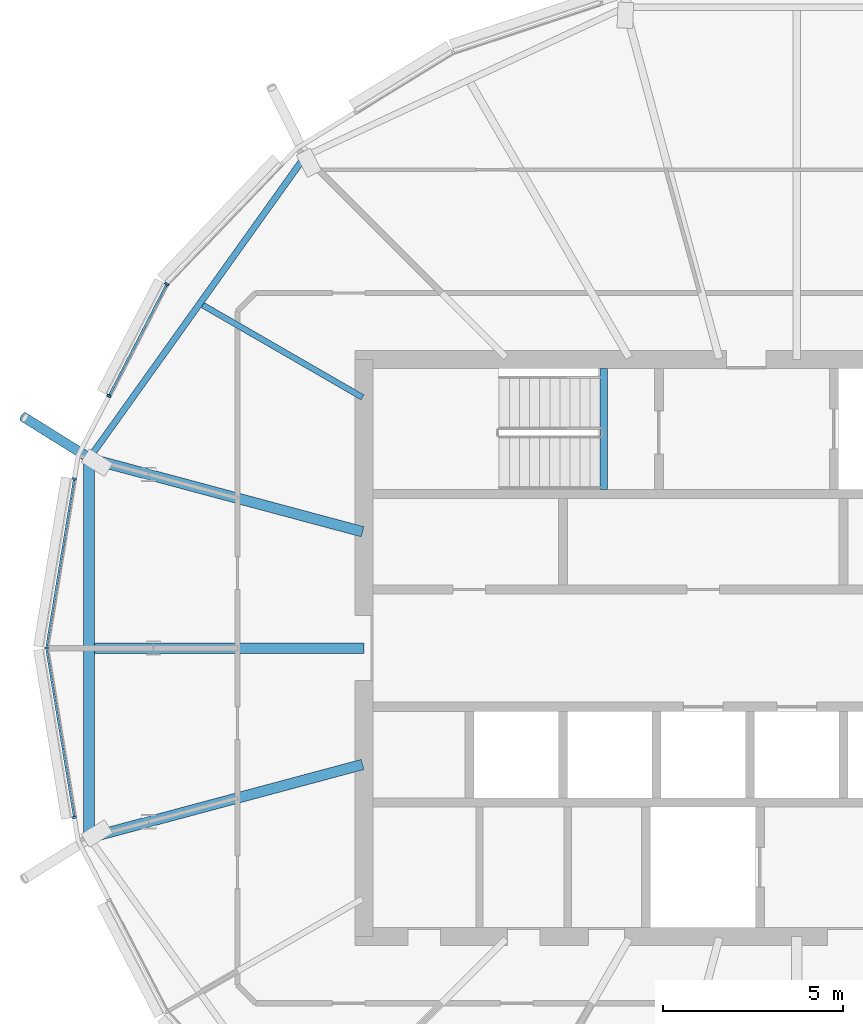
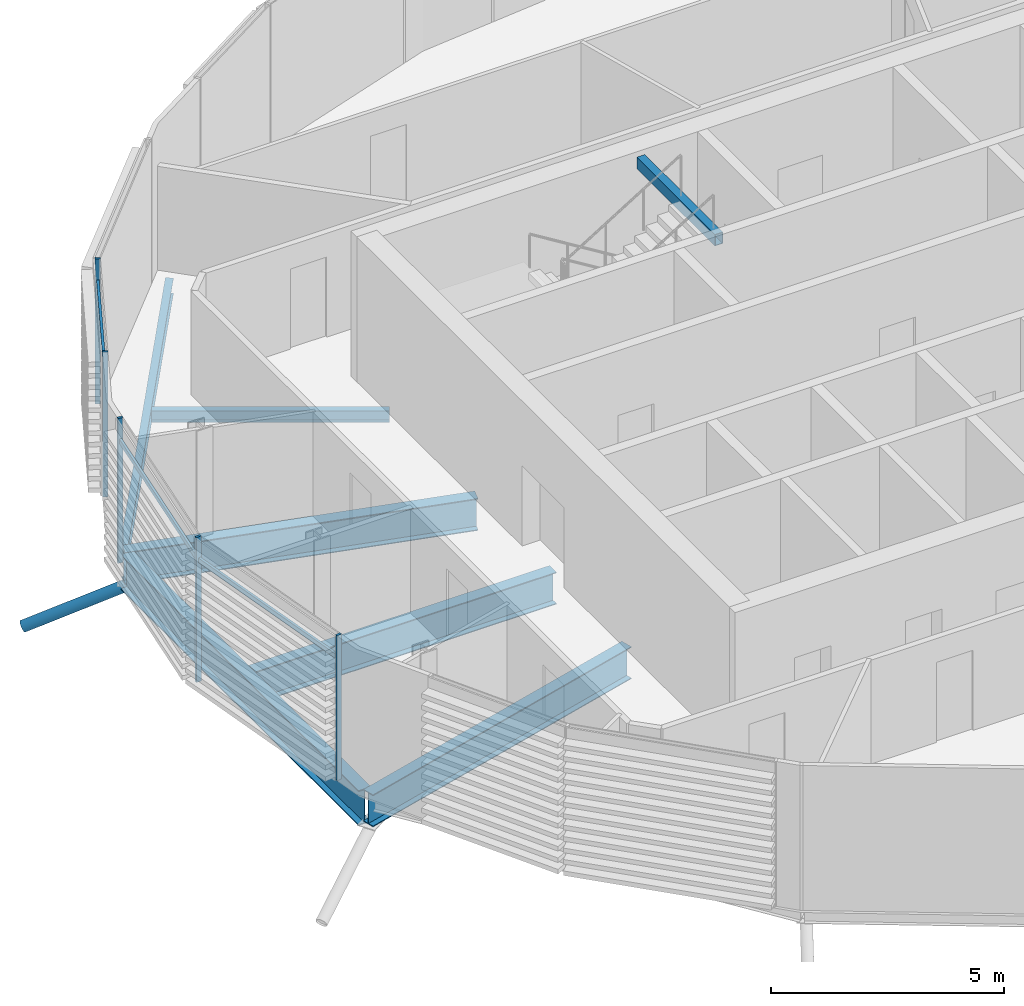
# One storey, part 5 of 35: 9 members, 7 beams, 1 element without a shape of its own.
"""IFC4 building model written with IfcOpenShell, lengths in metres."""

import ifcopenshell
import ifcopenshell.guid

model = None  # the IFC model being written
_history = None  # IfcOwnerHistory: only IFC2X3 demands one
_inside = {}  # id of a spatial element -> (the spatial element, [elements in it])
_under = {}  # id of a project, library or spatial element -> (it, [spatial elements below it])
_declared = {}  # id of a project -> (the project, [libraries it declares])
_typed = {}  # id of a type object -> (the type object, [elements of that type])
_made_of = {}  # id of a material, layer set ... -> (it, [elements and type objects made of it])


def new_model(schema):
    """Start an empty IFC model of exactly this schema.

    Asked for "IFC4X3", IfcOpenShell would pick the latest addendum, in which some entities
    have other attributes; the version numbers below select the first issue.
    IFC2X3 requires an IfcOwnerHistory on every rooted entity: one is made here for all.
    """
    global model, _history
    if schema == "IFC4X3":
        model = ifcopenshell.file(schema_version=(4, 3, 0, 0))
    else:
        model = ifcopenshell.file(schema=schema)
    _inside.clear()
    _under.clear()
    _declared.clear()
    _typed.clear()
    _made_of.clear()
    _history = None
    if model.schema == "IFC2X3":
        org = make("IfcOrganization", Name="unknown")
        user = make(
            "IfcPersonAndOrganization",
            ThePerson=make("IfcPerson", FamilyName="unknown"),
            TheOrganization=org,
        )
        app = make(
            "IfcApplication",
            ApplicationDeveloper=org,
            Version="unknown",
            ApplicationFullName="unknown",
            ApplicationIdentifier="unknown",
        )
        _history = make(
            "IfcOwnerHistory",
            OwningUser=user,
            OwningApplication=app,
            ChangeAction="ADDED",
            CreationDate=0,
        )
    return model


def make(cls, **values):
    """One entity of the class cls with the attributes given. An attribute that is None is left unset."""
    return model.create_entity(
        cls, **{name: value for name, value in values.items() if value is not None}
    )


def rooted(cls, **values):
    """An entity with a GlobalId (a new one), such as an element, a storey or a relation."""
    return make(cls, GlobalId=ifcopenshell.guid.new(), OwnerHistory=_history, **values)


def si_unit(unit_type, name, prefix=None):
    """IfcSIUnit, for example si_unit("LENGTHUNIT", "METRE", prefix="MILLI")."""
    return make("IfcSIUnit", UnitType=unit_type, Prefix=prefix, Name=name)


def assignment(units):
    """IfcUnitAssignment: the units of a project."""
    return None if units is None else make("IfcUnitAssignment", Units=units)


def point(xyz):
    """IfcCartesianPoint."""
    return None if xyz is None else make("IfcCartesianPoint", Coordinates=xyz)


def direction(xyz):
    """IfcDirection."""
    return None if xyz is None else make("IfcDirection", DirectionRatios=xyz)


def frame(location, z_axis=None, x_axis=None):
    """IfcAxis2Placement3D, a coordinate frame: its origin and axes. An axis left out is left unset."""
    return make(
        "IfcAxis2Placement3D",
        Location=point(location),
        Axis=direction(z_axis),
        RefDirection=direction(x_axis),
    )


def frame_2d(location, x_axis=None):
    """IfcAxis2Placement2D, a coordinate frame in the plane: its origin and x axis."""
    return make(
        "IfcAxis2Placement2D", Location=point(location), RefDirection=direction(x_axis)
    )


def origin():
    """The frame at (0, 0, 0) with its axes left unset."""
    return frame((0.0, 0.0, 0.0))


def origin_2d():
    """The frame at (0, 0) in the plane with its x axis left unset."""
    return frame_2d((0.0, 0.0))


def place(relative_to, where):
    """IfcLocalPlacement: puts the frame where relative to a parent placement (None: the world)."""
    return make(
        "IfcLocalPlacement", PlacementRelTo=relative_to, RelativePlacement=where
    )


def context(
    kind, dimensions, precision=None, world=None, true_north=None, identifier=None
):
    """IfcGeometricRepresentationContext, for example the 3D "Model" context."""
    return make(
        "IfcGeometricRepresentationContext",
        ContextIdentifier=identifier,
        ContextType=kind,
        CoordinateSpaceDimension=dimensions,
        Precision=precision,
        WorldCoordinateSystem=world,
        TrueNorth=true_north,
    )


def subcontext(parent, identifier, kind, view, scale=None):
    """IfcGeometricRepresentationSubContext, for example "Body" below "Model"."""
    return make(
        "IfcGeometricRepresentationSubContext",
        ContextIdentifier=identifier,
        ContextType=kind,
        ParentContext=parent,
        TargetScale=scale,
        TargetView=view,
    )


def project(units=None, contexts=None):
    """IfcProject with its units and contexts."""
    return rooted(
        "IfcProject",
        Name="project",
        RepresentationContexts=contexts,
        UnitsInContext=assignment(units),
    )


def spatial(cls, under=None, at=None, **own):
    """A site, building, storey or space (cls), placed at a placement, below another one or the project."""
    s = rooted(cls, ObjectPlacement=at, **own)
    if under is not None:
        _under.setdefault(under.id(), (under, []))[1].append(s)
    return s


def profile(cls, at=None, kind="AREA", **sizes):
    """A parametric profile (cls). Its sizes go by their IFC names, for example OverallWidth=200.0."""
    return make(cls, ProfileType=kind, Position=at, **sizes)


def rectangle(**sizes):
    """IfcRectangleProfileDef."""
    return profile("IfcRectangleProfileDef", **sizes)


def hollow_rectangle(**sizes):
    """IfcRectangleHollowProfileDef."""
    return profile("IfcRectangleHollowProfileDef", **sizes)


def hollow_circle(**sizes):
    """IfcCircleHollowProfileDef."""
    return profile("IfcCircleHollowProfileDef", **sizes)


def i_section(**sizes):
    """IfcIShapeProfileDef."""
    return profile("IfcIShapeProfileDef", **sizes)


def extrude(swept, where, along, depth):
    """IfcExtrudedAreaSolid: the profile swept, set in the frame where, extruded along a direction by depth."""
    return make(
        "IfcExtrudedAreaSolid",
        SweptArea=swept,
        Position=where,
        ExtrudedDirection=direction(along),
        Depth=depth,
    )


def clip(a, b, op="DIFFERENCE"):
    """IfcBooleanClippingResult: the solid a cut by the half space b."""
    return make(
        "IfcBooleanClippingResult", Operator=op, FirstOperand=a, SecondOperand=b
    )


def halfspace(plane, agree):
    """IfcHalfSpaceSolid: all space on one side of the plane z = 0 of the frame plane."""
    return make(
        "IfcHalfSpaceSolid",
        BaseSurface=make("IfcPlane", Position=plane),
        AgreementFlag=agree,
    )


def shape(context_of_items, identifier, shape_type, items):
    """IfcShapeRepresentation: the items that make up one representation, for example the "Body"."""
    return make(
        "IfcShapeRepresentation",
        ContextOfItems=context_of_items,
        RepresentationIdentifier=identifier,
        RepresentationType=shape_type,
        Items=items,
    )


def material(Name=None, Category=None):
    """IfcMaterial."""
    return make("IfcMaterial", Name=Name, Category=Category)


def material_profile(
    of_material, cross_section, Name=None, Category=None, Priority=None
):
    """IfcMaterialProfile: a cross section and its material."""
    return make(
        "IfcMaterialProfile",
        Name=Name,
        Material=of_material,
        Profile=cross_section,
        Priority=Priority,
        Category=Category,
    )


def profile_set(profiles, Name=None, composite=None):
    """IfcMaterialProfileSet."""
    return make(
        "IfcMaterialProfileSet",
        Name=Name,
        MaterialProfiles=profiles,
        CompositeProfile=composite,
    )


def made_of(thing, what):
    """Note that an element or type object is made of a material, layer set ...; save() writes the relation."""
    if what is not None:
        _made_of.setdefault(what.id(), (what, []))[1].append(thing)
    return thing


def type_object(cls, material=None, **own):
    """A type object (cls), such as IfcWallType, which elements share."""
    return made_of(rooted(cls, **own), material)


def element(
    cls,
    number,
    at=None,
    inside=None,
    cuts=None,
    type_object=None,
    material=None,
    context=None,
    identifier="Body",
    shape_type=None,
    held_by="IfcProductDefinitionShape",
    body=None,
    shapes=None,
    **own,
):
    """One element of the class cls, such as IfcWall. Its Tag is "e" and its number.

    at: its placement. inside: the storey or other place that contains it. cuts: it is an
    opening in that element (IfcRelVoidsElement). A single representation is given by context,
    identifier, shape_type and body (its items); several are given by shapes. held_by: the class
    of the entity that holds the representations. save() writes the other relations.
    """
    e = rooted(cls, Tag="e%d" % number, ObjectPlacement=at, **own)
    if body is not None:
        shapes = [shape(context, identifier, shape_type, body)]
    if shapes is not None:
        e.Representation = make(held_by, Representations=shapes)
    if inside is not None:
        _inside.setdefault(inside.id(), (inside, []))[1].append(e)
    if cuts is not None:
        rooted(
            "IfcRelVoidsElement", RelatingBuildingElement=cuts, RelatedOpeningElement=e
        )
    if type_object is not None:
        _typed.setdefault(type_object.id(), (type_object, []))[1].append(e)
    return made_of(e, material)


def aggregate(whole, parts):
    """IfcRelAggregates: a whole, such as a stair, and the parts it consists of."""
    return rooted("IfcRelAggregates", RelatingObject=whole, RelatedObjects=parts)


def save(model, path):
    """Write the relations noted so far, then the file.

    IfcRelAggregates (storeys below a building ...), IfcRelContainedInSpatialStructure (elements
    in a storey), IfcRelDefinesByType, IfcRelAssociatesMaterial and IfcRelDeclares: one each for
    every whole, place, type object, material and project.
    """
    for whole, parts in _under.values():
        aggregate(whole, parts)
    for where, things in _inside.values():
        rooted(
            "IfcRelContainedInSpatialStructure",
            RelatedElements=things,
            RelatingStructure=where,
        )
    for kind, things in _typed.values():
        rooted("IfcRelDefinesByType", RelatedObjects=things, RelatingType=kind)
    for what, things in _made_of.values():
        rooted("IfcRelAssociatesMaterial", RelatedObjects=things, RelatingMaterial=what)
    for by, libraries in _declared.values():
        rooted("IfcRelDeclares", RelatingContext=by, RelatedDefinitions=libraries)
    model.write(path)


model = new_model("IFC4")

# Units and contexts
model_context = context("Model", 3, precision=1e-05, world=origin(), true_north=direction((0.0, 1.0)))
body_context = subcontext(model_context, "Body", "Model", "MODEL_VIEW")
ifc_project = project(units=[si_unit("LENGTHUNIT", "METRE"), si_unit("AREAUNIT", "SQUARE_METRE"), si_unit("VOLUMEUNIT", "CUBIC_METRE"), si_unit("PLANEANGLEUNIT", "RADIAN"), si_unit("MASSUNIT", "GRAM", prefix="KILO")], contexts=[model_context])

# Site, building, storey
site_placement = place(None, origin())
site = spatial("IfcSite", under=ifc_project, at=site_placement, CompositionType="ELEMENT")
building_placement = place(site_placement, origin())
building = spatial("IfcBuilding", under=site, at=building_placement, Name="Rimbun Link Towers", CompositionType="ELEMENT")
storey_placement = place(building_placement, frame((0.0, 0.0, 225.699951171875)))
storey = spatial("IfcBuildingStorey", under=building, at=storey_placement, Name="L55", CompositionType="ELEMENT", Elevation=225.699951171875)

# Curtain wall, members
ifc_material_1 = material(Name="Aluminium 6063-T6 and low-iron glass", Category="aluminium")
curtain_wall_type = type_object("IfcCurtainWallType", Name="CW1-Z4 unitised vision wall (zone 4)", PredefinedType="NOTDEFINED", material=ifc_material_1)
curtain_wall_placement = place(storey_placement, origin())
curtain_wall = element("IfcCurtainWall", 1, at=curtain_wall_placement, inside=storey, type_object=curtain_wall_type, Name="CW1 L55 T1", PredefinedType="NOTDEFINED")
ifc_material_2 = material(Name="Aluminium 6063-T6", Category="aluminium")
ifc_material_profile_1 = material_profile(ifc_material_2, rectangle(XDim=0.1201171875, YDim=0.06005859375, at=origin_2d()), Name="MULLION 60X120")
ifc_profile_set_1 = profile_set([ifc_material_profile_1], Name="Aluminium 6063-T6")
member_type_1 = type_object("IfcMemberType", Name="CW1 mullion 60X120", PredefinedType="MULLION", material=ifc_profile_set_1)
member_1_placement = place(storey_placement, frame((-49.217041015625, 10.09130859375, 0.0), z_axis=(0.0, 0.0, 1.0), x_axis=(-0.813353544339, 0.581769724128, 0.0)))
member_1 = element("IfcMember", 2, at=member_1_placement, type_object=member_type_1, Name="CW1 mullion", PredefinedType="MULLION", context=body_context, shape_type="SweptSolid", body=[
    extrude(rectangle(XDim=0.1201171875, YDim=0.06005859375, at=origin_2d()), origin(), (0.0, 0.0, 1.0), 3.800048828125),
])
member_2_placement = place(storey_placement, frame((-50.8203125, 6.994140625, 0.0), z_axis=(0.0, 0.0, 1.0), x_axis=(-0.888152943593, 0.459547983117, 0.0)))
member_2 = element("IfcMember", 3, at=member_2_placement, type_object=member_type_1, Name="CW1 mullion", PredefinedType="MULLION", context=body_context, shape_type="SweptSolid", body=[
    extrude(rectangle(XDim=0.1201171875, YDim=0.06005859375, at=origin_2d()), origin(), (0.0, 0.0, 1.0), 3.800048828125),
])
member_3_placement = place(storey_placement, frame((-52.552734375, 0.0, 0.0), z_axis=(0.0, 0.0, 1.0), x_axis=(-1.0, 0.0, 0.0)))
member_3 = element("IfcMember", 4, at=member_3_placement, type_object=member_type_1, Name="CW1 mullion", PredefinedType="MULLION", context=body_context, shape_type="SweptSolid", body=[
    extrude(rectangle(XDim=0.1201171875, YDim=0.06005859375, at=origin_2d()), origin(), (0.0, 0.0, 1.0), 3.800048828125),
])
member_4_placement = place(storey_placement, frame((-51.781982421875, 4.691650390625, 0.0), z_axis=(0.0, 0.0, 1.0), x_axis=(-0.986747306612, 0.162264453577, 0.0)))
member_4 = element("IfcMember", 5, at=member_4_placement, type_object=member_type_1, Name="CW1 mullion", PredefinedType="MULLION", context=body_context, shape_type="SweptSolid", body=[
    extrude(rectangle(XDim=0.1201171875, YDim=0.06005859375, at=origin_2d()), origin(), (0.0, 0.0, 1.0), 3.800048828125),
])
member_5_placement = place(storey_placement, frame((-51.781982421875, -4.691650390625, 0.0), z_axis=(0.0, 0.0, 1.0), x_axis=(-0.986747306612, -0.162264453577, 0.0)))
member_5 = element("IfcMember", 6, at=member_5_placement, type_object=member_type_1, Name="CW1 mullion", PredefinedType="MULLION", context=body_context, shape_type="SweptSolid", body=[
    extrude(rectangle(XDim=0.1201171875, YDim=0.06005859375, at=origin_2d()), origin(), (0.0, 0.0, 1.0), 3.800048828125),
])
ifc_material_3 = material(Name="Aluminium 6063-T6", Category="aluminium")
ifc_material_profile_2 = material_profile(ifc_material_3, rectangle(XDim=0.06005859375, YDim=0.1201171875, at=origin_2d()), Name="TRANSOM 60X120")
ifc_profile_set_2 = profile_set([ifc_material_profile_2], Name="Aluminium 6063-T6")
member_type_2 = type_object("IfcMemberType", Name="CW1 transom 60X120", PredefinedType="USERDEFINED", material=ifc_profile_set_2)
member_6_placement = place(storey_placement, frame((-50.804931640625, 7.019775390625, 3.199951171875), z_axis=(0.459566661911, 0.888143278565, 0.0), x_axis=(-0.888143278565, 0.459566661911, 0.0)))
member_6 = element("IfcMember", 7, at=member_6_placement, type_object=member_type_2, Name="CW1 transom", ObjectType="TRANSOM", PredefinedType="USERDEFINED", context=body_context, shape_type="SweptSolid", body=[
    extrude(rectangle(XDim=0.06005859375, YDim=0.1201171875, at=origin_2d()), origin(), (0.0, 0.0, 1.0), 3.4189453125),
])
member_7_placement = place(storey_placement, frame((-52.545166015625, 0.0390625, 3.199951171875), z_axis=(0.162277498418, 0.98674516138, 0.0), x_axis=(-0.98674516138, 0.162277498418, 0.0)))
member_7 = element("IfcMember", 8, at=member_7_placement, type_object=member_type_2, Name="CW1 transom", ObjectType="TRANSOM", PredefinedType="USERDEFINED", context=body_context, shape_type="SweptSolid", body=[
    extrude(rectangle(XDim=0.06005859375, YDim=0.1201171875, at=origin_2d()), origin(), (0.0, 0.0, 1.0), 4.684814453125),
])
member_8_placement = place(storey_placement, frame((-51.784912109375, -4.661865234375, 3.199951171875), z_axis=(-0.162277498418, 0.98674516138, 0.0), x_axis=(-0.98674516138, -0.162277498418, 0.0)))
member_8 = element("IfcMember", 9, at=member_8_placement, type_object=member_type_2, Name="CW1 transom", ObjectType="TRANSOM", PredefinedType="USERDEFINED", context=body_context, shape_type="SweptSolid", body=[
    extrude(rectangle(XDim=0.06005859375, YDim=0.1201171875, at=origin_2d()), origin(), (0.0, 0.0, 1.0), 4.684814453125),
])
aggregate(curtain_wall, [member_1, member_2, member_3, member_4, member_5, member_6, member_7, member_8])

# Member
ifc_material_4 = material(Name="Steel S355J2H", Category="steel")
ifc_material_profile_3 = material_profile(ifc_material_4, hollow_circle(Radius=0.136474609375, WallThickness=0.012451171875, at=origin_2d()), Name="CHS 273x12.5")
ifc_profile_set_3 = profile_set([ifc_material_profile_3], Name="Steel S355J2H")
member_type_3 = type_object("IfcMemberType", Name="Floor edge link CHS 273x12.5", PredefinedType="BRACE", material=ifc_profile_set_3)
member_9_placement = place(storey_placement, frame((-51.32177734375, 5.244140625, -1.101806640625), z_axis=(-0.756129769658, 0.471620925618, -0.453697557803), x_axis=(-0.529223919494, -0.848482199598, 0.0)))
element("IfcMember", 10, at=member_9_placement, inside=storey, type_object=member_type_3, Name="Floor edge link T1 L55 11", PredefinedType="BRACE", context=body_context, shape_type="Clipping", body=[
    clip(extrude(hollow_circle(Radius=0.136474609375, WallThickness=0.012451171875, at=origin_2d()), frame((0.0, 0.0, -0.558349609375)), (0.0, 0.0, 1.0), 3.037353515625), halfspace(frame((0.0, 0.0, -0.2626953125), z_axis=(0.0, 0.891155724912, -0.453697557803)), False)),
])

# Beams
ifc_material_5 = material(Name="Steel S355J2", Category="steel")
ifc_material_profile_4 = material_profile(ifc_material_5, hollow_rectangle(XDim=0.199951171875, YDim=0.300048828125, WallThickness=0.011962890625, at=origin_2d()), Name="BOX 300x200x12")
ifc_profile_set_4 = profile_set([ifc_material_profile_4], Name="Steel S355J2")
beam_type_1 = type_object("IfcBeamType", Name="Stair trimmer beam BOX 300x200x12", PredefinedType="BEAM", material=ifc_profile_set_4)
beam_1_placement = place(storey_placement, frame((-37.10009765625, 7.75, 3.510009765625), z_axis=(0.0, -1.0, 0.0), x_axis=(1.0, 0.0, 0.0)))
element("IfcBeam", 11, at=beam_1_placement, inside=storey, type_object=beam_type_1, Name="L55 ST1 stair beam 1", PredefinedType="BEAM", context=body_context, shape_type="SweptSolid", body=[
    extrude(hollow_rectangle(XDim=0.199951171875, YDim=0.300048828125, WallThickness=0.011962890625, at=origin_2d()), origin(), (0.0, 0.0, 1.0), 3.35009765625),
])
ifc_material_6 = material(Name="Steel S355J2", Category="steel")
ifc_material_profile_5 = material_profile(ifc_material_6, i_section(OverallWidth=0.1650390625, OverallDepth=0.303466796875, WebThickness=0.006103515625, FlangeThickness=0.01025390625, at=origin_2d()), Name="UB 305x165x40")
ifc_profile_set_5 = profile_set([ifc_material_profile_5], Name="Steel S355J2")
beam_type_2 = type_object("IfcBeamType", Name="UB 305x165x40", PredefinedType="BEAM", material=ifc_profile_set_5)
beam_2_placement = place(storey_placement, frame((-43.7919921875, 6.952392578125, -0.291748046875), z_axis=(-0.866016235635, 0.500015879365, 0.0), x_axis=(-0.500015879365, -0.866016235635, 0.0)))
element("IfcBeam", 12, at=beam_2_placement, inside=storey, type_object=beam_type_2, Name="Radial beam T1 L55 10", PredefinedType="BEAM", context=body_context, shape_type="SweptSolid", body=[
    extrude(i_section(OverallWidth=0.1650390625, OverallDepth=0.303466796875, WebThickness=0.006103515625, FlangeThickness=0.01025390625, at=origin_2d()), origin(), (0.0, 0.0, 1.0), 5.113525390625),
])
ifc_material_7 = material(Name="Steel S355J2", Category="steel")
ifc_material_profile_6 = material_profile(ifc_material_7, i_section(OverallWidth=0.177978515625, OverallDepth=0.406494140625, WebThickness=0.0078125, FlangeThickness=0.0126953125, at=origin_2d()), Name="UB 406x178x60")
ifc_profile_set_6 = profile_set([ifc_material_profile_6], Name="Steel S355J2")
beam_type_3 = type_object("IfcBeamType", Name="UB 406x178x60", PredefinedType="BEAM", material=ifc_profile_set_6)
beam_3_placement = place(storey_placement, frame((-45.436279296875, 13.55908203125, -0.34326171875), z_axis=(-0.581495601018, -0.813549547352, 0.0), x_axis=(0.813549547352, -0.581495601018, 0.0)))
element("IfcBeam", 13, at=beam_3_placement, inside=storey, type_object=beam_type_3, Name="Edge beam T1 L55 09-11", PredefinedType="BEAM", context=body_context, shape_type="SweptSolid", body=[
    extrude(i_section(OverallWidth=0.177978515625, OverallDepth=0.406494140625, WebThickness=0.0078125, FlangeThickness=0.0126953125, at=origin_2d()), origin(), (0.0, 0.0, 1.0), 10.04736328125),
])
ifc_material_8 = material(Name="Steel S355J2", Category="steel")
ifc_material_profile_7 = material_profile(ifc_material_8, i_section(OverallWidth=0.29248046875, OverallDepth=0.8408203125, WebThickness=0.0126953125, FlangeThickness=0.021728515625, at=origin_2d()), Name="UB 838x292x194")
ifc_profile_set_7 = profile_set([ifc_material_profile_7], Name="Steel S355J2")
beam_type_4 = type_object("IfcBeamType", Name="UB 838x292x194", PredefinedType="BEAM", material=ifc_profile_set_7)
beam_4_placement = place(storey_placement, frame((-43.788818359375, 3.225830078125, -0.560302734375), z_axis=(-0.965930696307, 0.258800869265, 0.0), x_axis=(-0.258800869265, -0.965930696307, 0.0)))
element("IfcBeam", 14, at=beam_4_placement, inside=storey, type_object=beam_type_4, Name="Radial beam T1 L55 11", PredefinedType="BEAM", context=body_context, shape_type="SweptSolid", body=[
    extrude(i_section(OverallWidth=0.29248046875, OverallDepth=0.8408203125, WebThickness=0.0126953125, FlangeThickness=0.021728515625, at=origin_2d()), origin(), (0.0, 0.0, 1.0), 7.8486328125),
])
beam_5_placement = place(storey_placement, frame((-43.7509765625, 0.0, -0.560302734375), z_axis=(-1.0, 0.0, 0.0), x_axis=(0.0, -1.0, 0.0)))
element("IfcBeam", 15, at=beam_5_placement, inside=storey, type_object=beam_type_4, Name="Radial beam T1 L55 12", PredefinedType="BEAM", context=body_context, shape_type="SweptSolid", body=[
    extrude(i_section(OverallWidth=0.29248046875, OverallDepth=0.8408203125, WebThickness=0.0126953125, FlangeThickness=0.021728515625, at=origin_2d()), origin(), (0.0, 0.0, 1.0), 7.46533203125),
])
beam_6_placement = place(storey_placement, frame((-43.788818359375, -3.225830078125, -0.560302734375), z_axis=(-0.965930696307, -0.258800869265, 0.0), x_axis=(0.258800869265, -0.965930696307, 0.0)))
element("IfcBeam", 16, at=beam_6_placement, inside=storey, type_object=beam_type_4, Name="Radial beam T1 L55 13", PredefinedType="BEAM", context=body_context, shape_type="SweptSolid", body=[
    extrude(i_section(OverallWidth=0.29248046875, OverallDepth=0.8408203125, WebThickness=0.0126953125, FlangeThickness=0.021728515625, at=origin_2d()), origin(), (0.0, 0.0, 1.0), 7.8486328125),
])
ifc_material_9 = material(Name="Steel S355J2", Category="steel")
ifc_material_profile_8 = material_profile(ifc_material_9, i_section(OverallWidth=0.305419921875, OverallDepth=0.91845703125, WebThickness=0.017333984375, FlangeThickness=0.02783203125, at=origin_2d()), Name="UB 914x305x253")
ifc_profile_set_8 = profile_set([ifc_material_profile_8], Name="Steel S355J2")
beam_type_5 = type_object("IfcBeamType", Name="UB 914x305x253", PredefinedType="BEAM", material=ifc_profile_set_8)
beam_7_placement = place(storey_placement, frame((-51.3701171875, 5.104736328125, -0.59912109375), z_axis=(0.0, -1.0, 0.0), x_axis=(1.0, 0.0, 0.0)))
element("IfcBeam", 17, at=beam_7_placement, inside=storey, type_object=beam_type_5, Name="Edge beam T1 L55 11-13", PredefinedType="BEAM", context=body_context, shape_type="SweptSolid", body=[
    extrude(i_section(OverallWidth=0.305419921875, OverallDepth=0.91845703125, WebThickness=0.017333984375, FlangeThickness=0.02783203125, at=origin_2d()), origin(), (0.0, 0.0, 1.0), 10.20947265625),
])

save(model, "model.ifc")
